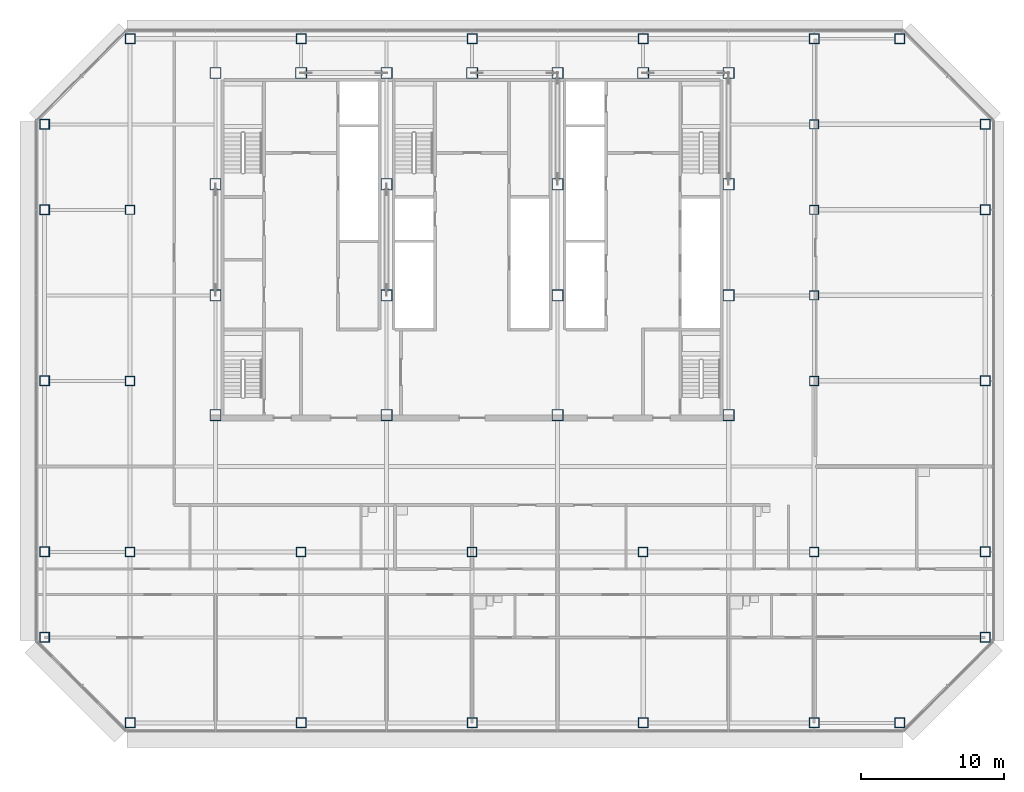
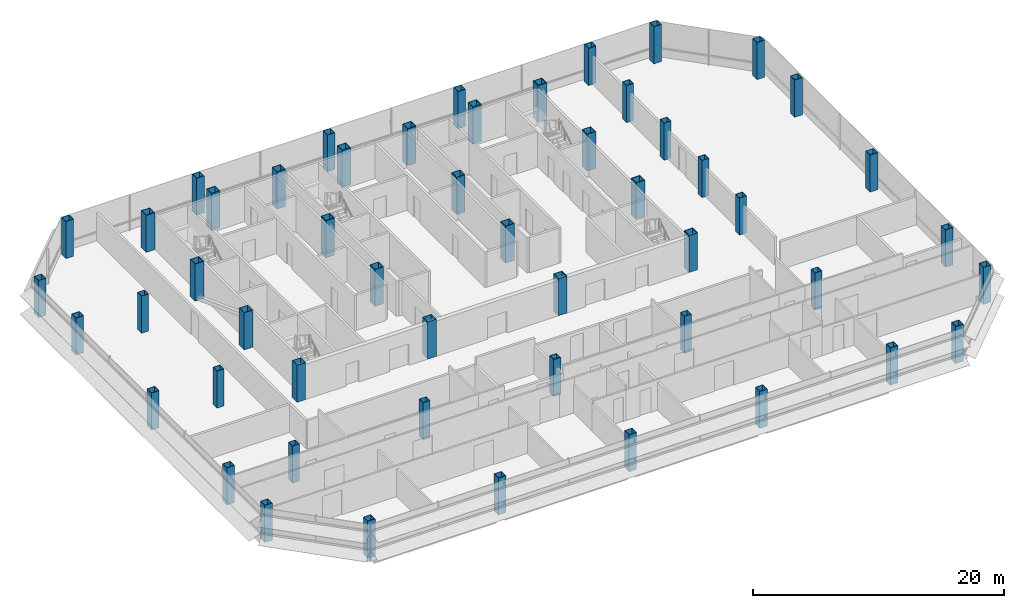
# One storey, part 1 of 24: 52 columns.
"""IFC4 building model written with IfcOpenShell, lengths in metres."""

from ifc_helpers import new_model, si_unit, direction, frame, origin, origin_2d, place, context, subcontext, project, spatial, hollow_rectangle, extrude, material, material_profile, profile_set, type_object, element, save


model = new_model("IFC4")

# Units and contexts
model_context = context("Model", 3, precision=1e-05, world=origin(), true_north=direction((0.0, 1.0)))
body_context = subcontext(model_context, "Body", "Model", "MODEL_VIEW")
ifc_project = project(units=[si_unit("LENGTHUNIT", "METRE"), si_unit("AREAUNIT", "SQUARE_METRE"), si_unit("VOLUMEUNIT", "CUBIC_METRE"), si_unit("PLANEANGLEUNIT", "RADIAN"), si_unit("MASSUNIT", "GRAM", prefix="KILO")], contexts=[model_context])

# Site, building, storey
site_placement = place(None, origin())
site = spatial("IfcSite", under=ifc_project, at=site_placement, CompositionType="ELEMENT")
building_placement = place(site_placement, origin())
building = spatial("IfcBuilding", under=site, at=building_placement, Name="Sorahane Residences", CompositionType="ELEMENT")
storey_placement = place(building_placement, frame((0.0, 0.0, 178.0)))
storey = spatial("IfcBuildingStorey", under=building, at=storey_placement, Name="L41", CompositionType="ELEMENT", Elevation=178.0)

# Columns
ifc_material_1 = material(Name="Steel Q355B", Category="steel")
ifc_material_profile_1 = material_profile(ifc_material_1, hollow_rectangle(XDim=0.64990234375, YDim=0.64990234375, WallThickness=0.031982421875, at=origin_2d()), Name="BOX 650x650x32")
ifc_profile_set_1 = profile_set([ifc_material_profile_1], Name="Steel Q355B")
column_type_1 = type_object("IfcColumnType", Name="Steel box column BOX 650x650x32 Q355B", PredefinedType="COLUMN", material=ifc_profile_set_1)
for number, where, z_axis, x_axis, name in (
    (1, (0.0, 12.0, 0.0), (0.0, 0.0, 1.0), (1.0, 0.0, 0.0), "Column L41 0/12"),
    (2, (0.0, 24.0, 0.0), (0.0, 0.0, 1.0), (1.0, 0.0, 0.0), "Column L41 0/24"),
    (3, (0.0, 36.0, 0.0), (0.0, 0.0, 1.0), (1.0, 0.0, 0.0), "Column L41 0/36"),
    (4, (12.0, 12.0, 0.0), (0.0, 0.0, 1.0), (1.0, 0.0, 0.0), "Column L41 12/12"),
    (5, (24.0, 12.0, 0.0), (0.0, 0.0, 1.0), (1.0, 0.0, 0.0), "Column L41 24/12"),
    (6, (36.0, 12.0, 0.0), (0.0, 0.0, 1.0), (1.0, 0.0, 0.0), "Column L41 36/12"),
    (7, (48.0, 12.0, 0.0), (0.0, 0.0, 1.0), (1.0, 0.0, 0.0), "Column L41 48/12"),
    (8, (48.0, 24.0, 0.0), (0.0, 0.0, 1.0), (1.0, 0.0, 0.0), "Column L41 48/24"),
    (9, (48.0, 30.0, 0.0), (0.0, 0.0, 1.0), (1.0, 0.0, 0.0), "Column L41 48/30"),
    (10, (48.0, 36.0, 0.0), (0.0, 0.0, 1.0), (1.0, 0.0, 0.0), "Column L41 48/36"),
    (11, (48.0, 42.0, 0.0), (0.0, 0.0, 1.0), (1.0, 0.0, 0.0), "Column L41 48/42"),
):
    element("IfcColumn", number, at=place(storey_placement, frame(where, z_axis=z_axis, x_axis=x_axis)), inside=storey, type_object=column_type_1, Name=name, PredefinedType="COLUMN", context=body_context, shape_type="SweptSolid", body=[
        extrude(hollow_rectangle(XDim=0.64990234375, YDim=0.64990234375, WallThickness=0.031982421875, at=origin_2d()), origin(), (0.0, 0.0, 1.0), 3.60009765625),
    ])
ifc_material_2 = material(Name="Steel Q355B", Category="steel")
ifc_material_profile_2 = material_profile(ifc_material_2, hollow_rectangle(XDim=0.699951171875, YDim=0.699951171875, WallThickness=0.035888671875, at=origin_2d()), Name="BOX 700x700x36")
ifc_profile_set_2 = profile_set([ifc_material_profile_2], Name="Steel Q355B")
column_type_2 = type_object("IfcColumnType", Name="Steel box column BOX 700x700x36 Q355B", PredefinedType="COLUMN", material=ifc_profile_set_2)
for number, where, z_axis, x_axis, name in (
    (12, (-6.0, 6.0, 0.0), (0.0, 0.0, 1.0), (1.0, 0.0, 0.0), "Column L41 m6/6"),
    (13, (-6.0, 12.0, 0.0), (0.0, 0.0, 1.0), (1.0, 0.0, 0.0), "Column L41 m6/12"),
    (14, (-6.0, 24.0, 0.0), (0.0, 0.0, 1.0), (1.0, 0.0, 0.0), "Column L41 m6/24"),
    (15, (-6.0, 36.0, 0.0), (0.0, 0.0, 1.0), (1.0, 0.0, 0.0), "Column L41 m6/36"),
    (16, (-6.0, 42.0, 0.0), (0.0, 0.0, 1.0), (1.0, 0.0, 0.0), "Column L41 m6/42"),
    (17, (0.0, 0.0, 0.0), (0.0, 0.0, 1.0), (1.0, 0.0, 0.0), "Column L41 0/0"),
    (18, (0.0, 48.0, 0.0), (0.0, 0.0, 1.0), (1.0, 0.0, 0.0), "Column L41 0/48"),
    (19, (12.0, 0.0, 0.0), (0.0, 0.0, 1.0), (1.0, 0.0, 0.0), "Column L41 12/0"),
    (20, (12.0, 48.0, 0.0), (0.0, 0.0, 1.0), (1.0, 0.0, 0.0), "Column L41 12/48"),
    (21, (24.0, 0.0, 0.0), (0.0, 0.0, 1.0), (1.0, 0.0, 0.0), "Column L41 24/0"),
    (22, (24.0, 48.0, 0.0), (0.0, 0.0, 1.0), (1.0, 0.0, 0.0), "Column L41 24/48"),
    (23, (36.0, 0.0, 0.0), (0.0, 0.0, 1.0), (1.0, 0.0, 0.0), "Column L41 36/0"),
    (24, (36.0, 48.0, 0.0), (0.0, 0.0, 1.0), (1.0, 0.0, 0.0), "Column L41 36/48"),
    (25, (48.0, 0.0, 0.0), (0.0, 0.0, 1.0), (1.0, 0.0, 0.0), "Column L41 48/0"),
    (26, (48.0, 48.0, 0.0), (0.0, 0.0, 1.0), (1.0, 0.0, 0.0), "Column L41 48/48"),
    (27, (54.0, 0.0, 0.0), (0.0, 0.0, 1.0), (1.0, 0.0, 0.0), "Column L41 54/0"),
    (28, (54.0, 48.0, 0.0), (0.0, 0.0, 1.0), (1.0, 0.0, 0.0), "Column L41 54/48"),
    (29, (60.0, 6.0, 0.0), (0.0, 0.0, 1.0), (1.0, 0.0, 0.0), "Column L41 60/6"),
    (30, (60.0, 12.0, 0.0), (0.0, 0.0, 1.0), (1.0, 0.0, 0.0), "Column L41 60/12"),
    (31, (60.0, 24.0, 0.0), (0.0, 0.0, 1.0), (1.0, 0.0, 0.0), "Column L41 60/24"),
    (32, (60.0, 36.0, 0.0), (0.0, 0.0, 1.0), (1.0, 0.0, 0.0), "Column L41 60/36"),
    (33, (60.0, 42.0, 0.0), (0.0, 0.0, 1.0), (1.0, 0.0, 0.0), "Column L41 60/42"),
):
    element("IfcColumn", number, at=place(storey_placement, frame(where, z_axis=z_axis, x_axis=x_axis)), inside=storey, type_object=column_type_2, Name=name, PredefinedType="COLUMN", context=body_context, shape_type="SweptSolid", body=[
        extrude(hollow_rectangle(XDim=0.699951171875, YDim=0.699951171875, WallThickness=0.035888671875, at=origin_2d()), origin(), (0.0, 0.0, 1.0), 3.60009765625),
    ])
ifc_material_3 = material(Name="Steel Q420GJ", Category="steel")
ifc_material_profile_3 = material_profile(ifc_material_3, hollow_rectangle(XDim=0.800048828125, YDim=0.800048828125, WallThickness=0.044921875, at=origin_2d()), Name="BOX 800x800x45")
ifc_profile_set_3 = profile_set([ifc_material_profile_3], Name="Steel Q420GJ")
column_type_3 = type_object("IfcColumnType", Name="Steel box column BOX 800x800x45 Q420GJ", PredefinedType="COLUMN", material=ifc_profile_set_3)
for number, where, z_axis, x_axis, name in (
    (34, (6.0, 21.60009765625, 0.0), (0.0, 0.0, 1.0), (1.0, 0.0, 0.0), "Column L41 6/21.6"),
    (35, (6.0, 30.0, 0.0), (0.0, 0.0, 1.0), (1.0, 0.0, 0.0), "Column L41 6/30"),
    (36, (6.0, 37.800048828125, 0.0), (0.0, 0.0, 1.0), (1.0, 0.0, 0.0), "Column L41 6/37.8"),
    (37, (6.0, 45.60009765625, 0.0), (0.0, 0.0, 1.0), (1.0, 0.0, 0.0), "Column L41 6/45.6"),
    (38, (12.0, 45.60009765625, 0.0), (0.0, 0.0, 1.0), (1.0, 0.0, 0.0), "Column L41 12/45.6"),
    (39, (18.0, 21.60009765625, 0.0), (0.0, 0.0, 1.0), (1.0, 0.0, 0.0), "Column L41 18/21.6"),
    (40, (18.0, 30.0, 0.0), (0.0, 0.0, 1.0), (1.0, 0.0, 0.0), "Column L41 18/30"),
    (41, (18.0, 37.800048828125, 0.0), (0.0, 0.0, 1.0), (1.0, 0.0, 0.0), "Column L41 18/37.8"),
    (42, (18.0, 45.60009765625, 0.0), (0.0, 0.0, 1.0), (1.0, 0.0, 0.0), "Column L41 18/45.6"),
    (43, (24.0, 45.60009765625, 0.0), (0.0, 0.0, 1.0), (1.0, 0.0, 0.0), "Column L41 24/45.6"),
    (44, (30.0, 21.60009765625, 0.0), (0.0, 0.0, 1.0), (1.0, 0.0, 0.0), "Column L41 30/21.6"),
    (45, (30.0, 30.0, 0.0), (0.0, 0.0, 1.0), (1.0, 0.0, 0.0), "Column L41 30/30"),
    (46, (30.0, 37.800048828125, 0.0), (0.0, 0.0, 1.0), (1.0, 0.0, 0.0), "Column L41 30/37.8"),
    (47, (30.0, 45.60009765625, 0.0), (0.0, 0.0, 1.0), (1.0, 0.0, 0.0), "Column L41 30/45.6"),
    (48, (36.0, 45.60009765625, 0.0), (0.0, 0.0, 1.0), (1.0, 0.0, 0.0), "Column L41 36/45.6"),
    (49, (42.0, 21.60009765625, 0.0), (0.0, 0.0, 1.0), (1.0, 0.0, 0.0), "Column L41 42/21.6"),
    (50, (42.0, 30.0, 0.0), (0.0, 0.0, 1.0), (1.0, 0.0, 0.0), "Column L41 42/30"),
    (51, (42.0, 37.800048828125, 0.0), (0.0, 0.0, 1.0), (1.0, 0.0, 0.0), "Column L41 42/37.8"),
    (52, (42.0, 45.60009765625, 0.0), (0.0, 0.0, 1.0), (1.0, 0.0, 0.0), "Column L41 42/45.6"),
):
    element("IfcColumn", number, at=place(storey_placement, frame(where, z_axis=z_axis, x_axis=x_axis)), inside=storey, type_object=column_type_3, Name=name, PredefinedType="COLUMN", context=body_context, shape_type="SweptSolid", body=[
        extrude(hollow_rectangle(XDim=0.800048828125, YDim=0.800048828125, WallThickness=0.044921875, at=origin_2d()), origin(), (0.0, 0.0, 1.0), 3.60009765625),
    ])

save(model, "model.ifc")
